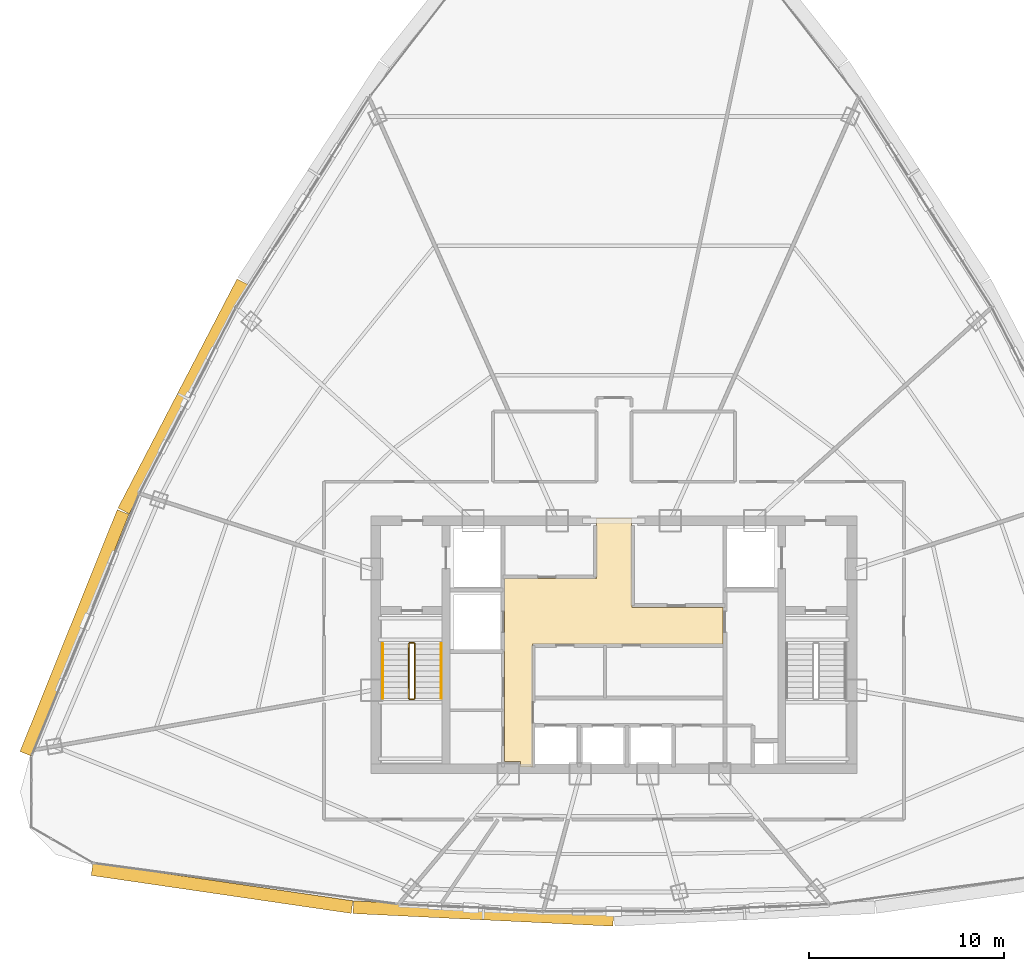
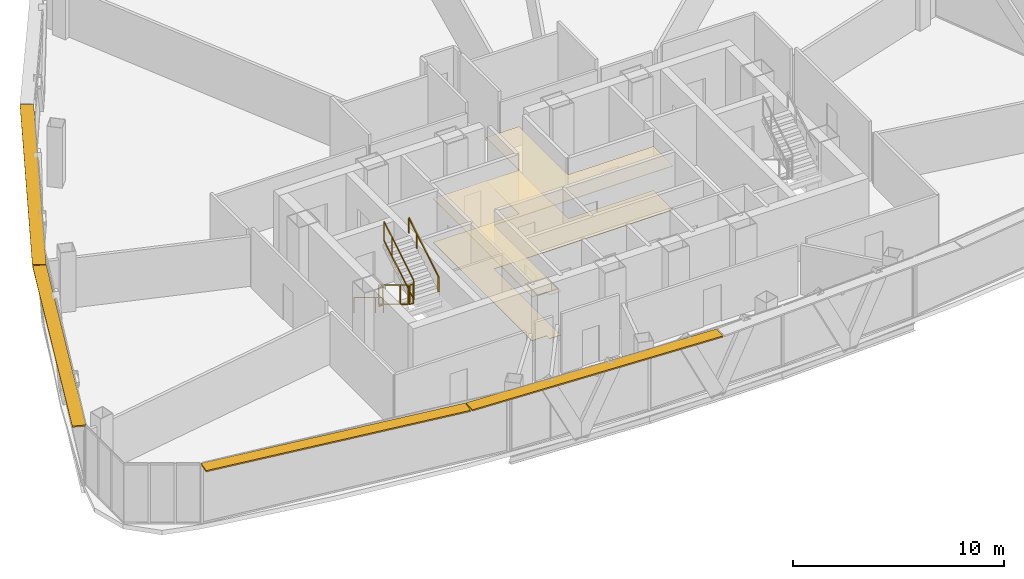
# One storey, part 31 of 33: 6 railings, 4 shading devices, 2 coverings.
"""IFC4 building model written with IfcOpenShell, lengths in metres."""

from ifc_helpers import new_model, si_unit, direction, frame, origin, origin_2d, place, context, subcontext, project, spatial, polyline, rectangle, outline, extrude, source, transform, mapped, material, layer, layer_set, type_object, element, save


model = new_model("IFC4")

# Units and contexts
model_context = context("Model", 3, precision=1e-05, world=origin(), true_north=direction((0.0, 1.0)))
body_context = subcontext(model_context, "Body", "Model", "MODEL_VIEW")
ifc_project = project(units=[si_unit("LENGTHUNIT", "METRE"), si_unit("AREAUNIT", "SQUARE_METRE"), si_unit("VOLUMEUNIT", "CUBIC_METRE"), si_unit("PLANEANGLEUNIT", "RADIAN"), si_unit("MASSUNIT", "GRAM", prefix="KILO"), si_unit("THERMODYNAMICTEMPERATUREUNIT", "KELVIN"), si_unit("POWERUNIT", "WATT")], contexts=[model_context])

# Site, building, storey
site_placement = place(None, origin())
site = spatial("IfcSite", under=ifc_project, at=site_placement, CompositionType="ELEMENT")
building_placement = place(site_placement, origin())
building = spatial("IfcBuilding", under=site, at=building_placement, Name="Yunzhuo Pagoda Commons", CompositionType="ELEMENT")
storey_placement = place(building_placement, frame((0.0, 0.0, 311.1298828125)))
storey = spatial("IfcBuildingStorey", under=building, at=storey_placement, Name="L78", CompositionType="ELEMENT", Elevation=311.1298828125)

# Coverings
ifc_material_1 = material(Name="Micro-perforated metal baffle ceiling")
ifc_layer_1 = layer(ifc_material_1, 0.034912109375)
ifc_layer_set_1 = layer_set([ifc_layer_1], Name="Micro-perforated metal baffle ceiling")
covering_type_1 = type_object("IfcCoveringType", Name="COV-CL3 Ceiling 35", PredefinedType="CEILING", material=ifc_layer_set_1)
covering_1_placement = place(storey_placement, frame((0.0, 0.0, 2.52001953125)))
element("IfcCovering", 1, at=covering_1_placement, inside=storey, type_object=covering_type_1, Name="L78 lift lobby acoustic ceiling", PredefinedType="CEILING", context=body_context, shape_type="SweptSolid", body=[
    extrude(outline(polyline([(42.39990234375, 37.25), (47.10009765625, 37.25), (47.10009765625, 40.35009765625), (48.89990234375, 40.35009765625), (48.89990234375, 37.25), (48.919921875, 37.25), (48.919921875, 35.75), (53.580078125, 35.75), (53.580078125, 33.89990234375), (43.820068359375, 33.89990234375), (43.820068359375, 27.60009765625), (43.207763671875, 27.60009765625), (43.207763671875, 27.85009765625), (43.201904296875, 27.864013671875), (43.187744140625, 27.8701171875), (42.39990234375, 27.8701171875), (42.39990234375, 33.89990234375), (42.39990234375, 37.25)])), origin(), (0.0, 0.0, 1.0), 0.03515625),
])
ifc_material_2 = material(Name="Resilient acoustic studio flooring")
ifc_layer_2 = layer(ifc_material_2, 0.01806640625)
ifc_layer_set_2 = layer_set([ifc_layer_2], Name="Resilient acoustic studio flooring")
covering_type_2 = type_object("IfcCoveringType", Name="COV-FL3 Flooring 18", PredefinedType="FLOORING", material=ifc_layer_set_2)
covering_2_placement = place(storey_placement, origin())
element("IfcCovering", 2, at=covering_2_placement, inside=storey, type_object=covering_type_2, Name="L78 lift lobby flooring", PredefinedType="FLOORING", context=body_context, shape_type="SweptSolid", body=[
    extrude(outline(polyline([(42.39990234375, 37.25), (47.10009765625, 37.25), (47.10009765625, 40.35009765625), (48.89990234375, 40.35009765625), (48.89990234375, 37.25), (48.919921875, 37.25), (48.919921875, 35.75), (53.580078125, 35.75), (53.580078125, 33.89990234375), (43.820068359375, 33.89990234375), (43.820068359375, 27.60009765625), (43.207763671875, 27.60009765625), (43.207763671875, 27.85009765625), (43.201904296875, 27.864013671875), (43.187744140625, 27.8701171875), (42.39990234375, 27.8701171875), (42.39990234375, 33.89990234375), (42.39990234375, 37.25)])), origin(), (0.0, 0.0, 1.0), 0.01806640625),
])

# Railings
ifc_material_3 = material(Name="Anodized aluminium 6063-T6", Category="aluminium")
railing_type_1 = type_object("IfcRailingType", Name="GR-ST1 Stair Well Guardrail 1150", PredefinedType="GUARDRAIL", material=ifc_material_3)
railing_1_placement = place(storey_placement, frame((37.5, 33.89990234375, 0.169677734375)))
element("IfcRailing", 3, at=railing_1_placement, inside=storey, type_object=railing_type_1, Name="L78 ST1 stair guard 1", PredefinedType="GUARDRAIL", context=body_context, shape_type="SweptSolid", body=[
    extrude(rectangle(XDim=0.048095703125, YDim=0.048095703125, at=origin_2d()), frame((0.0, 0.0, 1.1259765625), z_axis=(0.0, -0.855373106579, 0.518012401918), x_axis=(1.0, 0.0, 0.0)), (0.0, 0.0, 1.0), 3.273193359375),
    extrude(rectangle(XDim=0.048095703125, YDim=0.048095703125, at=origin_2d()), frame((0.0, 0.0, 0.02392578125), z_axis=(0.0, -0.855373106579, 0.518012401918), x_axis=(1.0, 0.0, 0.0)), (0.0, 0.0, 1.0), 3.273193359375),
    extrude(rectangle(XDim=0.0419921875, YDim=0.0419921875, at=origin_2d()), origin(), (0.0, 0.0, 1.0), 1.101806640625),
    extrude(rectangle(XDim=0.0419921875, YDim=0.0419921875, at=origin_2d()), frame((0.0, -2.052978515625, 1.2431640625)), (0.0, 0.0, 1.0), 1.101806640625),
    extrude(rectangle(XDim=0.0419921875, YDim=0.0419921875, at=origin_2d()), frame((0.0, -2.7998046875, 1.695556640625)), (0.0, 0.0, 1.0), 1.101806640625),
])
railing_2_placement = place(storey_placement, frame((37.550048828125, 31.050048828125, 1.865234375)))
element("IfcRailing", 4, at=railing_2_placement, inside=storey, type_object=railing_type_1, Name="L78 ST1 stair guard 2", PredefinedType="GUARDRAIL", context=body_context, shape_type="SweptSolid", body=[
    extrude(rectangle(XDim=0.048095703125, YDim=0.048095703125, at=origin_2d()), frame((0.0, 0.0, 1.1259765625), z_axis=(1.0, 0.0, 0.0), x_axis=(0.0, 1.0, 0.0)), (0.0, 0.0, 1.0), 0.199951171875),
    extrude(rectangle(XDim=0.048095703125, YDim=0.048095703125, at=origin_2d()), frame((0.0, 0.0, 0.02392578125), z_axis=(1.0, 0.0, 0.0), x_axis=(0.0, 1.0, 0.0)), (0.0, 0.0, 1.0), 0.199951171875),
    extrude(rectangle(XDim=0.0419921875, YDim=0.0419921875, at=origin_2d()), origin(), (0.0, 0.0, 1.0), 1.101806640625),
    extrude(rectangle(XDim=0.0419921875, YDim=0.0419921875, at=origin_2d()), frame((0.199951171875, 0.0, 0.0)), (0.0, 0.0, 1.0), 1.101806640625),
])
railing_3_placement = place(storey_placement, frame((37.800048828125, 31.10009765625, 2.03466796875)))
element("IfcRailing", 5, at=railing_3_placement, inside=storey, type_object=railing_type_1, Name="L78 ST1 stair guard 3", PredefinedType="GUARDRAIL", context=body_context, shape_type="SweptSolid", body=[
    extrude(rectangle(XDim=0.048095703125, YDim=0.048095703125, at=origin_2d()), frame((0.0, 0.0, 1.1259765625), z_axis=(0.0, 0.855373106579, 0.518012401918), x_axis=(-1.0, 0.0, 0.0)), (0.0, 0.0, 1.0), 3.273193359375),
    extrude(rectangle(XDim=0.048095703125, YDim=0.048095703125, at=origin_2d()), frame((0.0, 0.0, 0.02392578125), z_axis=(0.0, 0.855373106579, 0.518012401918), x_axis=(-1.0, 0.0, 0.0)), (0.0, 0.0, 1.0), 3.273193359375),
    extrude(rectangle(XDim=0.0419921875, YDim=0.0419921875, at=origin_2d()), origin(), (0.0, 0.0, 1.0), 1.101806640625),
    extrude(rectangle(XDim=0.0419921875, YDim=0.0419921875, at=origin_2d()), frame((0.0, 2.052978515625, 1.2431640625)), (0.0, 0.0, 1.0), 1.101806640625),
    extrude(rectangle(XDim=0.0419921875, YDim=0.0419921875, at=origin_2d()), frame((0.0, 2.7998046875, 1.695556640625)), (0.0, 0.0, 1.0), 1.101806640625),
])
railing_4_placement = place(storey_placement, frame((37.550048828125, 33.949951171875, 0.0)))
element("IfcRailing", 6, at=railing_4_placement, inside=storey, type_object=railing_type_1, Name="L78 ST1 stair guard 4", PredefinedType="GUARDRAIL", context=body_context, shape_type="SweptSolid", body=[
    extrude(rectangle(XDim=0.048095703125, YDim=0.048095703125, at=origin_2d()), frame((0.0, 0.0, 1.1259765625), z_axis=(1.0, 0.0, 0.0), x_axis=(0.0, 1.0, 0.0)), (0.0, 0.0, 1.0), 0.199951171875),
    extrude(rectangle(XDim=0.048095703125, YDim=0.048095703125, at=origin_2d()), frame((0.0, 0.0, 0.02392578125), z_axis=(1.0, 0.0, 0.0), x_axis=(0.0, 1.0, 0.0)), (0.0, 0.0, 1.0), 0.199951171875),
    extrude(rectangle(XDim=0.0419921875, YDim=0.0419921875, at=origin_2d()), origin(), (0.0, 0.0, 1.0), 1.101806640625),
    extrude(rectangle(XDim=0.0419921875, YDim=0.0419921875, at=origin_2d()), frame((0.199951171875, 0.0, 0.0)), (0.0, 0.0, 1.0), 1.101806640625),
])
railing_type_2 = type_object("IfcRailingType", Name="HR-ST1 Stair Handrail 900", PredefinedType="HANDRAIL", material=ifc_material_3)
railing_5_placement = place(storey_placement, frame((36.14990234375, 33.89990234375, 0.169677734375)))
element("IfcRailing", 7, at=railing_5_placement, inside=storey, type_object=railing_type_2, Name="L78 ST1 stair handrail 1", PredefinedType="HANDRAIL", context=body_context, shape_type="SweptSolid", body=[
    extrude(rectangle(XDim=0.048095703125, YDim=0.048095703125, at=origin_2d()), frame((0.0, 0.0, 0.8759765625), z_axis=(0.0, -0.855373106579, 0.518012401918), x_axis=(1.0, 0.0, 0.0)), (0.0, 0.0, 1.0), 3.273193359375),
    extrude(rectangle(XDim=0.0419921875, YDim=0.0419921875, at=origin_2d()), origin(), (0.0, 0.0, 1.0), 0.851806640625),
    extrude(rectangle(XDim=0.0419921875, YDim=0.0419921875, at=origin_2d()), frame((0.0, -2.052978515625, 1.2431640625)), (0.0, 0.0, 1.0), 0.851806640625),
    extrude(rectangle(XDim=0.0419921875, YDim=0.0419921875, at=origin_2d()), frame((0.0, -2.7998046875, 1.695556640625)), (0.0, 0.0, 1.0), 0.851806640625),
])
railing_6_placement = place(storey_placement, frame((39.14990234375, 31.10009765625, 2.03466796875)))
element("IfcRailing", 8, at=railing_6_placement, inside=storey, type_object=railing_type_2, Name="L78 ST1 stair handrail 2", PredefinedType="HANDRAIL", context=body_context, shape_type="SweptSolid", body=[
    extrude(rectangle(XDim=0.048095703125, YDim=0.048095703125, at=origin_2d()), frame((0.0, 0.0, 0.8759765625), z_axis=(0.0, 0.855373106579, 0.518012401918), x_axis=(-1.0, 0.0, 0.0)), (0.0, 0.0, 1.0), 3.273193359375),
    extrude(rectangle(XDim=0.0419921875, YDim=0.0419921875, at=origin_2d()), origin(), (0.0, 0.0, 1.0), 0.851806640625),
    extrude(rectangle(XDim=0.0419921875, YDim=0.0419921875, at=origin_2d()), frame((0.0, 2.052978515625, 1.2431640625)), (0.0, 0.0, 1.0), 0.851806640625),
    extrude(rectangle(XDim=0.0419921875, YDim=0.0419921875, at=origin_2d()), frame((0.0, 2.7998046875, 1.695556640625)), (0.0, 0.0, 1.0), 0.851806640625),
])

# Shading devices
ifc_layer_3 = layer(ifc_material_3, 0.080078125)
ifc_layer_set_3 = layer_set([ifc_layer_3], Name="Anodized aluminium 6063-T6")
shading_device_type = type_object("IfcShadingDeviceType", Name="SH-SUN1 Pagoda Horizontal Sunshade Eave 650", PredefinedType="USERDEFINED", material=ifc_layer_set_3)
shared_shape_1 = source(origin(), body_context, "Body", "SweptSolid", [
    extrude(rectangle(XDim=13.458251953125, YDim=0.64990234375, at=origin_2d()), origin(), (0.0, 0.0, 1.0), 0.080078125),
])
shading_device_1_placement = place(storey_placement, frame((27.93017578125, 21.38330078125, 3.39013671875), z_axis=(0.0, 0.0, 1.0), x_axis=(0.989510666697, -0.144459823108, 0.0)))
element("IfcShadingDevice", 9, at=shading_device_1_placement, inside=storey, type_object=shading_device_type, Name="L78 horizontal pagoda sunshade eave F1.1", ObjectType="SUNSHADE", PredefinedType="USERDEFINED", context=body_context, shape_type="MappedRepresentation", body=[
    mapped(shared_shape_1, transform((0.0, 0.0, 0.0), scale=1.0)),
])
shared_shape_2 = source(origin(), body_context, "Body", "SweptSolid", [
    extrude(rectangle(XDim=13.33251953125, YDim=0.64990234375, at=origin_2d()), origin(), (0.0, 0.0, 1.0), 0.080078125),
])
shading_device_2_placement = place(storey_placement, frame((41.309814453125, 20.081298828125, 3.39013671875), z_axis=(0.0, 0.0, 1.0), x_axis=(0.998818043775, -0.04860571396, 0.0)))
element("IfcShadingDevice", 10, at=shading_device_2_placement, inside=storey, type_object=shading_device_type, Name="L78 horizontal pagoda sunshade eave F1.2", ObjectType="SUNSHADE", PredefinedType="USERDEFINED", context=body_context, shape_type="MappedRepresentation", body=[
    mapped(shared_shape_2, transform((0.0, 0.0, 0.0), scale=1.0)),
])
shared_shape_3 = source(origin(), body_context, "Body", "SweptSolid", [
    extrude(rectangle(XDim=13.35009765625, YDim=0.64990234375, at=origin_2d()), origin(), (0.0, 0.0, 1.0), 0.080078125),
])
shading_device_3_placement = place(storey_placement, frame((20.370361328125, 34.454345703125, 3.39013671875), z_axis=(0.0, 0.0, 1.0), x_axis=(-0.372987782576, -0.927836253899, 0.0)))
element("IfcShadingDevice", 11, at=shading_device_3_placement, inside=storey, type_object=shading_device_type, Name="L78 horizontal pagoda sunshade eave F3.4", ObjectType="SUNSHADE", PredefinedType="USERDEFINED", context=body_context, shape_type="MappedRepresentation", body=[
    mapped(shared_shape_3, transform((0.0, 0.0, 0.0), scale=1.0)),
])
shared_shape_4 = source(origin(), body_context, "Body", "SweptSolid", [
    extrude(rectangle(XDim=13.223388671875, YDim=0.64990234375, at=origin_2d()), origin(), (0.0, 0.0, 1.0), 0.080078125),
])
shading_device_4_placement = place(storey_placement, frame((25.935791015625, 46.571533203125, 3.39013671875), z_axis=(0.0, 0.0, 1.0), x_axis=(-0.461206683033, -0.88729273384, 0.0)))
element("IfcShadingDevice", 12, at=shading_device_4_placement, inside=storey, type_object=shading_device_type, Name="L78 horizontal pagoda sunshade eave F3.3", ObjectType="SUNSHADE", PredefinedType="USERDEFINED", context=body_context, shape_type="MappedRepresentation", body=[
    mapped(shared_shape_4, transform((0.0, 0.0, 0.0), scale=1.0)),
])

save(model, "model.ifc")
